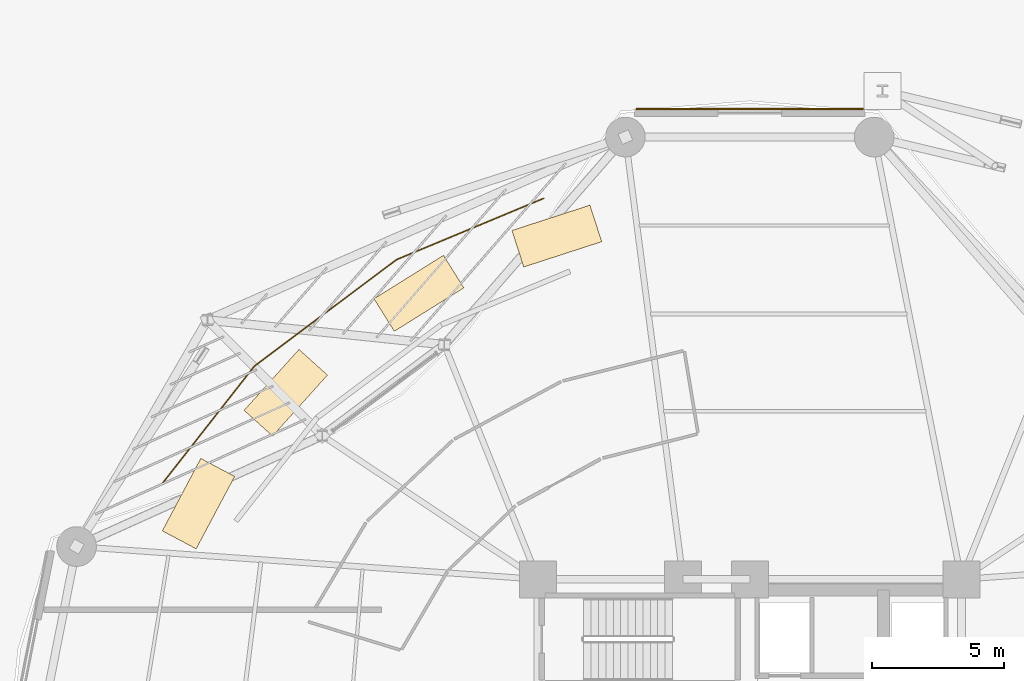
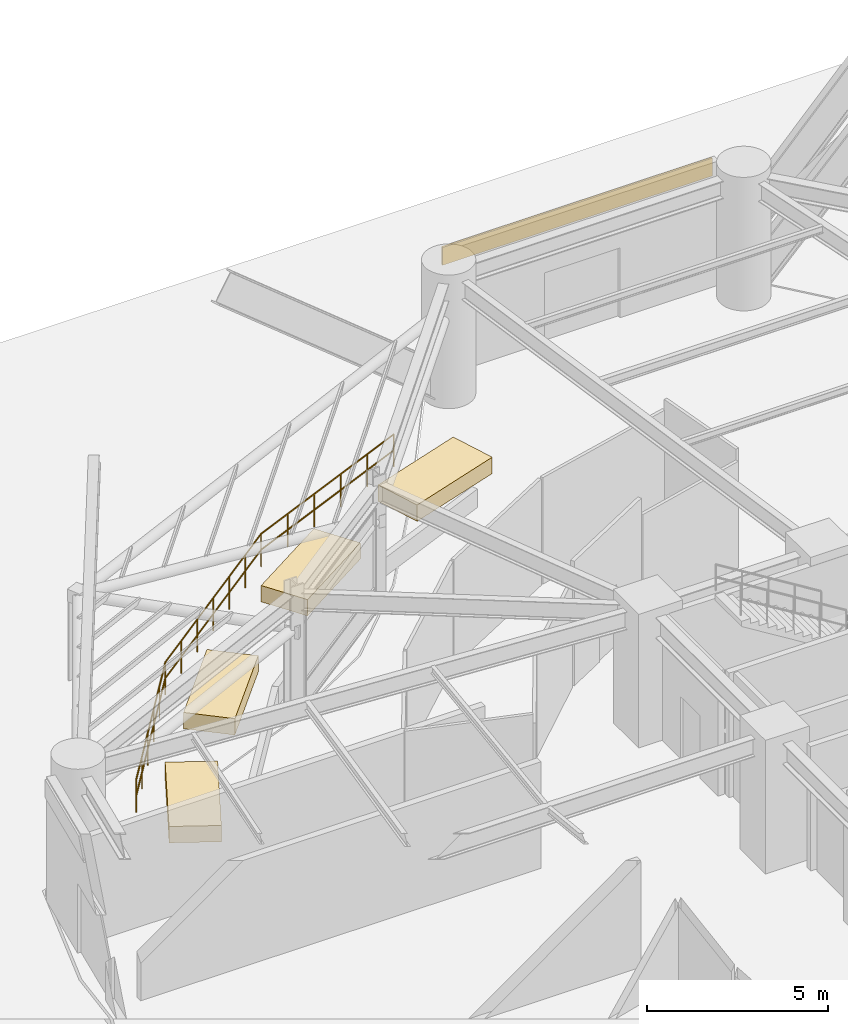
# One storey, part 39 of 40: 5 coverings, 1 railing.
"""IFC4 building model written with IfcOpenShell, lengths in metres."""

from ifc_helpers import new_model, si_unit, direction, frame, origin, origin_2d, place, context, subcontext, project, spatial, polyline, rectangle, outline, extrude, source, transform, mapped, material, layer, layer_set, type_object, element, save


model = new_model("IFC4")

# Units and contexts
model_context = context("Model", 3, precision=1e-05, world=origin(), true_north=direction((0.0, 1.0)))
body_context = subcontext(model_context, "Body", "Model", "MODEL_VIEW")
ifc_project = project(units=[si_unit("LENGTHUNIT", "METRE"), si_unit("AREAUNIT", "SQUARE_METRE"), si_unit("VOLUMEUNIT", "CUBIC_METRE"), si_unit("PLANEANGLEUNIT", "RADIAN"), si_unit("MASSUNIT", "GRAM", prefix="KILO")], contexts=[model_context])

# Site, building, storey
site_placement = place(None, origin())
site = spatial("IfcSite", under=ifc_project, at=site_placement, CompositionType="ELEMENT")
building_placement = place(site_placement, origin())
building = spatial("IfcBuilding", under=site, at=building_placement, Name="Kelanora Arch Commons", CompositionType="ELEMENT")
storey_placement = place(building_placement, origin())
storey = spatial("IfcBuildingStorey", under=building, at=storey_placement, Name="L00", CompositionType="ELEMENT", Elevation=0.0)

# Railing
ifc_material_1 = material(Name="Laminated glass and stainless steel balustrade", Category="steel")
railing_type = type_object("IfcRailingType", Name="RAIL-BAL-112", PredefinedType="BALUSTRADE", material=ifc_material_1)
railing_placement = place(storey_placement, frame((66.212890625, 79.398681640625, 0.0)))
element("IfcRailing", 1, at=railing_placement, inside=storey, type_object=railing_type, Name="Planted Courtyard Garden Balustrade NW", PredefinedType="BALUSTRADE", context=body_context, shape_type="SweptSolid", body=[
    extrude(outline(polyline([(0.02392578125, 0.0), (0.011962890625, 0.020751953125), (-0.011962890625, 0.020751953125), (-0.02392578125, 0.0), (-0.011962890625, -0.020751953125), (0.011962890625, -0.020751953125), (0.02392578125, 0.0)])), frame((0.0, 0.0, 1.09619140625), z_axis=(-0.923189481102, -0.38434513394, 0.0), x_axis=(0.38434513394, -0.923189481102, 0.0)), (0.0, 0.0, 1.0), 6.030029296875),
    extrude(outline(polyline([(0.02392578125, 0.0), (0.011962890625, 0.020751953125), (-0.011962890625, 0.020751953125), (-0.02392578125, 0.0), (-0.011962890625, -0.020751953125), (0.011962890625, -0.020751953125), (0.02392578125, 0.0)])), frame((0.0, 0.0, 0.56005859375), z_axis=(-0.923189481102, -0.38434513394, 0.0), x_axis=(0.38434513394, -0.923189481102, 0.0)), (0.0, 0.0, 1.0), 6.030029296875),
    extrude(outline(polyline([(0.02392578125, 0.0), (0.011962890625, 0.020751953125), (-0.011962890625, 0.020751953125), (-0.02392578125, 0.0), (-0.011962890625, -0.020751953125), (0.011962890625, -0.020751953125), (0.02392578125, 0.0)])), frame((-5.56689453125, -2.317626953125, 1.09619140625), z_axis=(-0.800309704733, -0.599586838173, 0.0), x_axis=(0.599586838173, -0.800309704733, 0.0)), (0.0, 0.0, 1.0), 6.714111328125),
    extrude(outline(polyline([(0.02392578125, 0.0), (0.011962890625, 0.020751953125), (-0.011962890625, 0.020751953125), (-0.02392578125, 0.0), (-0.011962890625, -0.020751953125), (0.011962890625, -0.020751953125), (0.02392578125, 0.0)])), frame((-5.56689453125, -2.317626953125, 0.56005859375), z_axis=(-0.800309704733, -0.599586838173, 0.0), x_axis=(0.599586838173, -0.800309704733, 0.0)), (0.0, 0.0, 1.0), 6.714111328125),
    extrude(outline(polyline([(0.02392578125, 0.0), (0.011962890625, 0.020751953125), (-0.011962890625, 0.020751953125), (-0.02392578125, 0.0), (-0.011962890625, -0.020751953125), (0.011962890625, -0.020751953125), (0.02392578125, 0.0)])), frame((-10.940185546875, -6.34326171875, 1.09619140625), z_axis=(-0.617082826824, -0.786898204877, 0.0), x_axis=(0.786898204877, -0.617082826824, 0.0)), (0.0, 0.0, 1.0), 5.708984375),
    extrude(outline(polyline([(0.02392578125, 0.0), (0.011962890625, 0.020751953125), (-0.011962890625, 0.020751953125), (-0.02392578125, 0.0), (-0.011962890625, -0.020751953125), (0.011962890625, -0.020751953125), (0.02392578125, 0.0)])), frame((-10.940185546875, -6.34326171875, 0.56005859375), z_axis=(-0.617082826824, -0.786898204877, 0.0), x_axis=(0.786898204877, -0.617082826824, 0.0)), (0.0, 0.0, 1.0), 5.708984375),
    extrude(outline(polyline([(0.02099609375, 0.0), (0.010498046875, 0.01806640625), (-0.010498046875, 0.01806640625), (-0.02099609375, 0.0), (-0.010498046875, -0.01806640625), (0.010498046875, -0.01806640625), (0.02099609375, 0.0)])), origin(), (0.0, 0.0, 1.0), 1.072021484375),
    extrude(outline(polyline([(0.02099609375, 0.0), (0.010498046875, 0.01806640625), (-0.010498046875, 0.01806640625), (-0.02099609375, 0.0), (-0.010498046875, -0.01806640625), (0.010498046875, -0.01806640625), (0.02099609375, 0.0)])), frame((-1.11328125, -0.463623046875, 0.0)), (0.0, 0.0, 1.0), 1.072021484375),
    extrude(outline(polyline([(0.02099609375, 0.0), (0.010498046875, 0.01806640625), (-0.010498046875, 0.01806640625), (-0.02099609375, 0.0), (-0.010498046875, -0.01806640625), (0.010498046875, -0.01806640625), (0.02099609375, 0.0)])), frame((-2.226806640625, -0.927001953125, 0.0)), (0.0, 0.0, 1.0), 1.072021484375),
    extrude(outline(polyline([(0.02099609375, 0.0), (0.010498046875, 0.01806640625), (-0.010498046875, 0.01806640625), (-0.02099609375, 0.0), (-0.010498046875, -0.01806640625), (0.010498046875, -0.01806640625), (0.02099609375, 0.0)])), frame((-3.340087890625, -1.390625, 0.0)), (0.0, 0.0, 1.0), 1.072021484375),
    extrude(outline(polyline([(0.02099609375, 0.0), (0.010498046875, 0.01806640625), (-0.010498046875, 0.01806640625), (-0.02099609375, 0.0), (-0.010498046875, -0.01806640625), (0.010498046875, -0.01806640625), (0.02099609375, 0.0)])), frame((-4.45361328125, -1.85400390625, 0.0)), (0.0, 0.0, 1.0), 1.072021484375),
    extrude(outline(polyline([(0.02099609375, 0.0), (0.010498046875, 0.01806640625), (-0.010498046875, 0.01806640625), (-0.02099609375, 0.0), (-0.010498046875, -0.01806640625), (0.010498046875, -0.01806640625), (0.02099609375, 0.0)])), frame((-5.56689453125, -2.317626953125, 0.0)), (0.0, 0.0, 1.0), 1.072021484375),
    extrude(outline(polyline([(0.02099609375, 0.0), (0.010498046875, 0.01806640625), (-0.010498046875, 0.01806640625), (-0.02099609375, 0.0), (-0.010498046875, -0.01806640625), (0.010498046875, -0.01806640625), (0.02099609375, 0.0)])), frame((-6.46240234375, -2.988525390625, 0.0)), (0.0, 0.0, 1.0), 1.072021484375),
    extrude(outline(polyline([(0.02099609375, 0.0), (0.010498046875, 0.01806640625), (-0.010498046875, 0.01806640625), (-0.02099609375, 0.0), (-0.010498046875, -0.01806640625), (0.010498046875, -0.01806640625), (0.02099609375, 0.0)])), frame((-7.35791015625, -3.659423828125, 0.0)), (0.0, 0.0, 1.0), 1.072021484375),
    extrude(outline(polyline([(0.02099609375, 0.0), (0.010498046875, 0.01806640625), (-0.010498046875, 0.01806640625), (-0.02099609375, 0.0), (-0.010498046875, -0.01806640625), (0.010498046875, -0.01806640625), (0.02099609375, 0.0)])), frame((-8.25341796875, -4.33056640625, 0.0)), (0.0, 0.0, 1.0), 1.072021484375),
    extrude(outline(polyline([(0.02099609375, 0.0), (0.010498046875, 0.01806640625), (-0.010498046875, 0.01806640625), (-0.02099609375, 0.0), (-0.010498046875, -0.01806640625), (0.010498046875, -0.01806640625), (0.02099609375, 0.0)])), frame((-9.149169921875, -5.00146484375, 0.0)), (0.0, 0.0, 1.0), 1.072021484375),
    extrude(outline(polyline([(0.02099609375, 0.0), (0.010498046875, 0.01806640625), (-0.010498046875, 0.01806640625), (-0.02099609375, 0.0), (-0.010498046875, -0.01806640625), (0.010498046875, -0.01806640625), (0.02099609375, 0.0)])), frame((-10.044677734375, -5.67236328125, 0.0)), (0.0, 0.0, 1.0), 1.072021484375),
    extrude(outline(polyline([(0.02099609375, 0.0), (0.010498046875, 0.01806640625), (-0.010498046875, 0.01806640625), (-0.02099609375, 0.0), (-0.010498046875, -0.01806640625), (0.010498046875, -0.01806640625), (0.02099609375, 0.0)])), frame((-10.940185546875, -6.34326171875, 0.0)), (0.0, 0.0, 1.0), 1.072021484375),
    extrude(outline(polyline([(0.02099609375, 0.0), (0.010498046875, 0.01806640625), (-0.010498046875, 0.01806640625), (-0.02099609375, 0.0), (-0.010498046875, -0.01806640625), (0.010498046875, -0.01806640625), (0.02099609375, 0.0)])), frame((-11.644775390625, -7.24169921875, 0.0)), (0.0, 0.0, 1.0), 1.072021484375),
    extrude(outline(polyline([(0.02099609375, 0.0), (0.010498046875, 0.01806640625), (-0.010498046875, 0.01806640625), (-0.02099609375, 0.0), (-0.010498046875, -0.01806640625), (0.010498046875, -0.01806640625), (0.02099609375, 0.0)])), frame((-12.349365234375, -8.14013671875, 0.0)), (0.0, 0.0, 1.0), 1.072021484375),
    extrude(outline(polyline([(0.02099609375, 0.0), (0.010498046875, 0.01806640625), (-0.010498046875, 0.01806640625), (-0.02099609375, 0.0), (-0.010498046875, -0.01806640625), (0.010498046875, -0.01806640625), (0.02099609375, 0.0)])), frame((-13.053955078125, -9.038818359375, 0.0)), (0.0, 0.0, 1.0), 1.072021484375),
    extrude(outline(polyline([(0.02099609375, 0.0), (0.010498046875, 0.01806640625), (-0.010498046875, 0.01806640625), (-0.02099609375, 0.0), (-0.010498046875, -0.01806640625), (0.010498046875, -0.01806640625), (0.02099609375, 0.0)])), frame((-13.758544921875, -9.937255859375, 0.0)), (0.0, 0.0, 1.0), 1.072021484375),
    extrude(outline(polyline([(0.02099609375, 0.0), (0.010498046875, 0.01806640625), (-0.010498046875, 0.01806640625), (-0.02099609375, 0.0), (-0.010498046875, -0.01806640625), (0.010498046875, -0.01806640625), (0.02099609375, 0.0)])), frame((-14.463134765625, -10.835693359375, 0.0)), (0.0, 0.0, 1.0), 1.072021484375),
])

# Coverings
ifc_material_2 = material(Name="Glazed architectural terracotta spandrel cladding", Category="masonry")
ifc_layer_1 = layer(ifc_material_2, 0.06005859375)
ifc_layer_set_1 = layer_set([ifc_layer_1], Name="Glazed architectural terracotta spandrel cladding")
covering_type_1 = type_object("IfcCoveringType", Name="COV-CLAD-TC", PredefinedType="CLADDING", material=ifc_layer_set_1)
shared_shape_1 = source(origin(), body_context, "Body", "SweptSolid", [
    extrude(rectangle(XDim=8.591796875, YDim=0.06005859375, at=origin_2d()), origin(), (0.0, 0.0, 1.0), 0.60009765625),
])
covering_placement = place(storey_placement, frame((74.0, 82.7783203125, 3.534912109375), z_axis=(0.0, 0.0, 1.0), x_axis=(-1.0, 0.0, 0.0)))
element("IfcCovering", 2, at=covering_placement, inside=storey, type_object=covering_type_1, Name="Terracotta Spandrel Cladding L00-B04", PredefinedType="CLADDING", context=body_context, shape_type="MappedRepresentation", body=[
    mapped(shared_shape_1, transform((0.0, 0.0, 0.0), scale=1.0)),
])
ifc_material_3 = material(Name="Architectural terracotta planter bed with planting soil", Category="masonry")
ifc_layer_2 = layer(ifc_material_3, 0.550048828125)
ifc_layer_set_2 = layer_set([ifc_layer_2], Name="Architectural terracotta planter bed with planting soil")
covering_type_2 = type_object("IfcCoveringType", Name="COV-PLANTER", PredefinedType="USERDEFINED", material=ifc_layer_set_2)
shared_shape_2 = source(origin(), body_context, "Body", "SweptSolid", [
    extrude(rectangle(XDim=3.10009765625, YDim=1.449951171875, at=origin_2d()), origin(), (0.0, 0.0, 1.0), 0.550048828125),
])
for number, where, z_axis, x_axis, name in (
    (3, (66.707275390625, 77.97216796875, 0.0), (0.0, 0.0, 1.0), (-0.951056516295, -0.309016994375, 0.0), "Planted Courtyard Garden Bed NW-1"),
    (4, (61.493896484375, 75.80908203125, 0.0), (0.0, 0.0, 1.0), (-0.848048096156, -0.529919264233, 0.0), "Planted Courtyard Garden Bed NW-2"),
    (5, (56.4619140625, 72.0517578125, 0.0), (0.0, 0.0, 1.0), (-0.669130606359, -0.743144825477, 0.0), "Planted Courtyard Garden Bed NW-3"),
    (6, (53.162353515625, 67.85888671875, 0.0), (0.0, 0.0, 1.0), (-0.469471562786, -0.882947592859, 0.0), "Planted Courtyard Garden Bed NW-4"),
):
    element("IfcCovering", number, at=place(storey_placement, frame(where, z_axis=z_axis, x_axis=x_axis)), inside=storey, type_object=covering_type_2, Name=name, ObjectType="PLANTER", PredefinedType="USERDEFINED", context=body_context, shape_type="MappedRepresentation", body=[
        mapped(shared_shape_2, transform((0.0, 0.0, 0.0), scale=1.0)),
    ])

save(model, "model.ifc")
